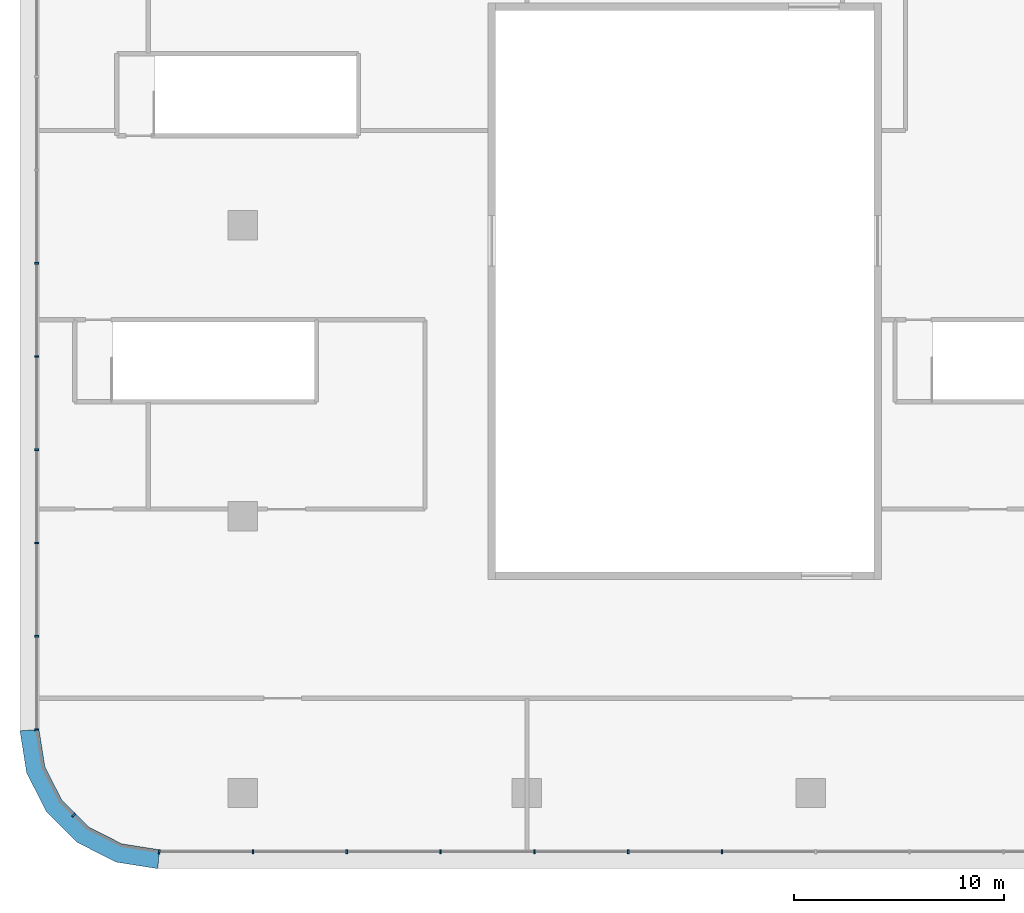
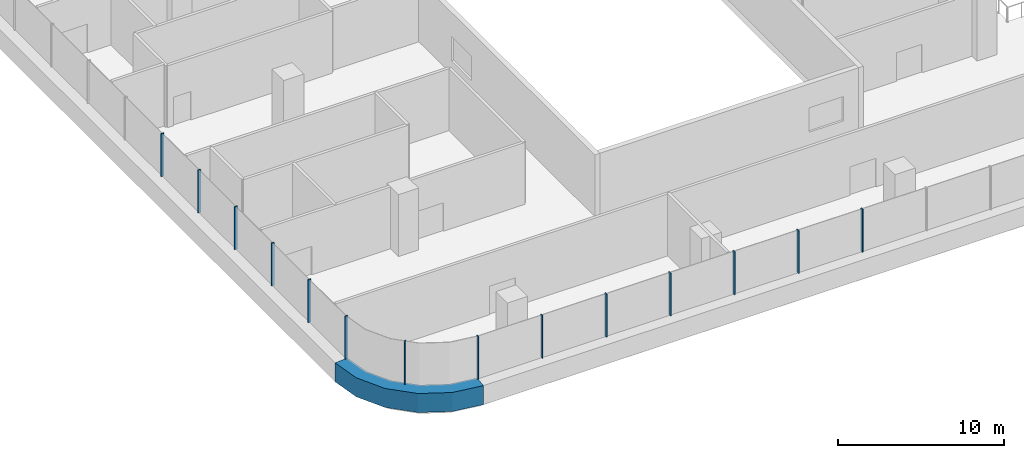
# One storey, part 2 of 38: 15 members, 3 elements without a shape of their own.
"""IFC4 building model written with IfcOpenShell, lengths in metres."""

from ifc_helpers import new_model, si_unit, direction, frame, origin, origin_2d, place, context, subcontext, project, spatial, polyline, rectangle, outline, extrude, material, layer, layer_set, material_profile, profile_set, type_object, element, aggregate, save


model = new_model("IFC4")

# Units and contexts
model_context = context("Model", 3, precision=1e-05, world=origin(), true_north=direction((0.0, 1.0)))
body_context = subcontext(model_context, "Body", "Model", "MODEL_VIEW")
ifc_project = project(units=[si_unit("LENGTHUNIT", "METRE"), si_unit("AREAUNIT", "SQUARE_METRE"), si_unit("VOLUMEUNIT", "CUBIC_METRE"), si_unit("PLANEANGLEUNIT", "RADIAN"), si_unit("MASSUNIT", "GRAM", prefix="KILO")], contexts=[model_context])

# Site, building, storey
site_placement = place(None, origin())
site = spatial("IfcSite", under=ifc_project, at=site_placement, CompositionType="ELEMENT")
building_placement = place(site_placement, origin())
building = spatial("IfcBuilding", under=site, at=building_placement, Name="Tamarind Cross Interchange Tower", CompositionType="ELEMENT")
storey_placement = place(building_placement, frame((0.0, 0.0, 20.0)))
storey = spatial("IfcBuildingStorey", under=building, at=storey_placement, Name="L03", CompositionType="ELEMENT", Elevation=20.0)

# Curtain wall, member
ifc_material_1 = material(Name="Aluminium 6063-T6", Category="aluminium")
ifc_layer = layer(ifc_material_1, 0.199951171875)
ifc_layer_set = layer_set([ifc_layer], Name="Aluminium 6063-T6")
curtain_wall_type = type_object("IfcCurtainWallType", Name="Podium shopfront and station curtain wall", PredefinedType="NOTDEFINED", material=ifc_layer_set)
curtain_wall_1_placement = place(storey_placement, origin())
curtain_wall_1 = element("IfcCurtainWall", 1, at=curtain_wall_1_placement, inside=storey, type_object=curtain_wall_type, Name="CWS-L03-05", PredefinedType="NOTDEFINED")
ifc_material_2 = material(Name="Aluminium and insulated spandrel panel", Category="aluminium")
member_type_1 = type_object("IfcMemberType", Name="Floor-edge blade transom", PredefinedType="USERDEFINED", material=ifc_material_2)
member_1_placement = place(storey_placement, origin())
member_1 = element("IfcMember", 2, at=member_1_placement, type_object=member_type_1, Name="CWT-L03-05", ObjectType="TRANSOM", PredefinedType="USERDEFINED", context=body_context, shape_type="SweptSolid", body=[
    extrude(outline(polyline([(-63.699951171875, -50.976318359375), (-63.41748046875, -52.76025390625), (-62.6083984375, -54.34814453125), (-61.34814453125, -55.6083984375), (-59.76025390625, -56.41748046875), (-57.976318359375, -56.699951171875), (-58.047119140625, -57.60009765625), (-60.041748046875, -57.2841796875), (-61.8837890625, -56.345458984375), (-63.345458984375, -54.8837890625), (-64.2841796875, -53.041748046875), (-64.60009765625, -51.047119140625), (-63.699951171875, -50.976318359375)])), origin(), (0.0, 0.0, 1.0), 1.39990234375),
])

# Curtain wall, members
curtain_wall_2_placement = place(storey_placement, origin())
curtain_wall_2 = element("IfcCurtainWall", 3, at=curtain_wall_2_placement, inside=storey, type_object=curtain_wall_type, Name="CWS-L03-04", PredefinedType="NOTDEFINED")
ifc_material_profile = material_profile(ifc_material_1, rectangle(XDim=0.080078125, YDim=0.199951171875, at=origin_2d()), Name="Mullion CW3")
ifc_profile_set = profile_set([ifc_material_profile], Name="Aluminium 6063-T6")
member_type_2 = type_object("IfcMemberType", Name="Mullion CW3", PredefinedType="MULLION", material=ifc_profile_set)
member_2_placement = place(storey_placement, frame((-63.800048828125, -28.817138671875, 1.39990234375), z_axis=(0.0, 0.0, 1.0), x_axis=(0.0, -1.0, 0.0)))
member_2 = element("IfcMember", 4, at=member_2_placement, type_object=member_type_2, Name="CWM-L03-04-18", PredefinedType="MULLION", context=body_context, shape_type="SweptSolid", body=[
    extrude(rectangle(XDim=0.080078125, YDim=0.199951171875, at=origin_2d()), origin(), (0.0, 0.0, 1.0), 3.150146484375),
])
member_3_placement = place(storey_placement, frame((-63.800048828125, -33.25048828125, 1.39990234375), z_axis=(0.0, 0.0, 1.0), x_axis=(0.0, -1.0, 0.0)))
member_3 = element("IfcMember", 5, at=member_3_placement, type_object=member_type_2, Name="CWM-L03-04-19", PredefinedType="MULLION", context=body_context, shape_type="SweptSolid", body=[
    extrude(rectangle(XDim=0.080078125, YDim=0.199951171875, at=origin_2d()), origin(), (0.0, 0.0, 1.0), 3.150146484375),
])
member_4_placement = place(storey_placement, frame((-63.800048828125, -37.68408203125, 1.39990234375), z_axis=(0.0, 0.0, 1.0), x_axis=(0.0, -1.0, 0.0)))
member_4 = element("IfcMember", 6, at=member_4_placement, type_object=member_type_2, Name="CWM-L03-04-20", PredefinedType="MULLION", context=body_context, shape_type="SweptSolid", body=[
    extrude(rectangle(XDim=0.080078125, YDim=0.199951171875, at=origin_2d()), origin(), (0.0, 0.0, 1.0), 3.150146484375),
])
member_5_placement = place(storey_placement, frame((-63.800048828125, -42.117431640625, 1.39990234375), z_axis=(0.0, 0.0, 1.0), x_axis=(0.0, -1.0, 0.0)))
member_5 = element("IfcMember", 7, at=member_5_placement, type_object=member_type_2, Name="CWM-L03-04-21", PredefinedType="MULLION", context=body_context, shape_type="SweptSolid", body=[
    extrude(rectangle(XDim=0.080078125, YDim=0.199951171875, at=origin_2d()), origin(), (0.0, 0.0, 1.0), 3.150146484375),
])
member_6_placement = place(storey_placement, frame((-63.800048828125, -46.55078125, 1.39990234375), z_axis=(0.0, 0.0, 1.0), x_axis=(0.0, -1.0, 0.0)))
member_6 = element("IfcMember", 8, at=member_6_placement, type_object=member_type_2, Name="CWM-L03-04-22", PredefinedType="MULLION", context=body_context, shape_type="SweptSolid", body=[
    extrude(rectangle(XDim=0.080078125, YDim=0.199951171875, at=origin_2d()), origin(), (0.0, 0.0, 1.0), 3.150146484375),
])
aggregate(curtain_wall_2, [member_2, member_3, member_4, member_5, member_6])

# Member
member_7_placement = place(storey_placement, frame((-63.800048828125, -50.984375, 1.39990234375), z_axis=(0.0, 0.0, 1.0), x_axis=(0.078459095728, -0.996917333733, 0.0)))
member_7 = element("IfcMember", 9, at=member_7_placement, type_object=member_type_2, Name="CWM-L03-05-00", PredefinedType="MULLION", context=body_context, shape_type="SweptSolid", body=[
    extrude(rectangle(XDim=0.080078125, YDim=0.199951171875, at=origin_2d()), origin(), (0.0, 0.0, 1.0), 3.150146484375),
])

member_8_placement = place(storey_placement, frame((-62.049072265625, -55.049072265625, 1.39990234375), z_axis=(0.0, 0.0, 1.0), x_axis=(0.707106781187, -0.707106781187, 0.0)))
member_8 = element("IfcMember", 10, at=member_8_placement, type_object=member_type_2, Name="CWM-L03-05-01", PredefinedType="MULLION", context=body_context, shape_type="SweptSolid", body=[
    extrude(rectangle(XDim=0.080078125, YDim=0.199951171875, at=origin_2d()), origin(), (0.0, 0.0, 1.0), 3.150146484375),
])

aggregate(curtain_wall_1, [member_7, member_8, member_1])

# Curtain wall, members
curtain_wall_3_placement = place(storey_placement, origin())
curtain_wall_3 = element("IfcCurtainWall", 11, at=curtain_wall_3_placement, inside=storey, type_object=curtain_wall_type, Name="CWS-L03-06", PredefinedType="NOTDEFINED")
member_9_placement = place(storey_placement, frame((-57.984375, -56.800048828125, 1.39990234375), z_axis=(0.0, 0.0, 1.0), x_axis=(0.996917333733, -0.078459095728, 0.0)))
member_9 = element("IfcMember", 12, at=member_9_placement, type_object=member_type_2, Name="CWM-L03-06-00", PredefinedType="MULLION", context=body_context, shape_type="SweptSolid", body=[
    extrude(rectangle(XDim=0.080078125, YDim=0.199951171875, at=origin_2d()), origin(), (0.0, 0.0, 1.0), 3.150146484375),
])
member_10_placement = place(storey_placement, frame((-53.52392578125, -56.800048828125, 1.39990234375), z_axis=(0.0, 0.0, 1.0), x_axis=(1.0, 0.0, 0.0)))
member_10 = element("IfcMember", 13, at=member_10_placement, type_object=member_type_2, Name="CWM-L03-06-01", PredefinedType="MULLION", context=body_context, shape_type="SweptSolid", body=[
    extrude(rectangle(XDim=0.080078125, YDim=0.199951171875, at=origin_2d()), origin(), (0.0, 0.0, 1.0), 3.150146484375),
])
member_11_placement = place(storey_placement, frame((-49.063720703125, -56.800048828125, 1.39990234375), z_axis=(0.0, 0.0, 1.0), x_axis=(1.0, 0.0, 0.0)))
member_11 = element("IfcMember", 14, at=member_11_placement, type_object=member_type_2, Name="CWM-L03-06-02", PredefinedType="MULLION", context=body_context, shape_type="SweptSolid", body=[
    extrude(rectangle(XDim=0.080078125, YDim=0.199951171875, at=origin_2d()), origin(), (0.0, 0.0, 1.0), 3.150146484375),
])
member_12_placement = place(storey_placement, frame((-44.603271484375, -56.800048828125, 1.39990234375), z_axis=(0.0, 0.0, 1.0), x_axis=(1.0, 0.0, 0.0)))
member_12 = element("IfcMember", 15, at=member_12_placement, type_object=member_type_2, Name="CWM-L03-06-03", PredefinedType="MULLION", context=body_context, shape_type="SweptSolid", body=[
    extrude(rectangle(XDim=0.080078125, YDim=0.199951171875, at=origin_2d()), origin(), (0.0, 0.0, 1.0), 3.150146484375),
])
member_13_placement = place(storey_placement, frame((-40.14306640625, -56.800048828125, 1.39990234375), z_axis=(0.0, 0.0, 1.0), x_axis=(1.0, 0.0, 0.0)))
member_13 = element("IfcMember", 16, at=member_13_placement, type_object=member_type_2, Name="CWM-L03-06-04", PredefinedType="MULLION", context=body_context, shape_type="SweptSolid", body=[
    extrude(rectangle(XDim=0.080078125, YDim=0.199951171875, at=origin_2d()), origin(), (0.0, 0.0, 1.0), 3.150146484375),
])
member_14_placement = place(storey_placement, frame((-35.6826171875, -56.800048828125, 1.39990234375), z_axis=(0.0, 0.0, 1.0), x_axis=(1.0, 0.0, 0.0)))
member_14 = element("IfcMember", 17, at=member_14_placement, type_object=member_type_2, Name="CWM-L03-06-05", PredefinedType="MULLION", context=body_context, shape_type="SweptSolid", body=[
    extrude(rectangle(XDim=0.080078125, YDim=0.199951171875, at=origin_2d()), origin(), (0.0, 0.0, 1.0), 3.150146484375),
])
member_15_placement = place(storey_placement, frame((-31.222412109375, -56.800048828125, 1.39990234375), z_axis=(0.0, 0.0, 1.0), x_axis=(1.0, 0.0, 0.0)))
member_15 = element("IfcMember", 18, at=member_15_placement, type_object=member_type_2, Name="CWM-L03-06-06", PredefinedType="MULLION", context=body_context, shape_type="SweptSolid", body=[
    extrude(rectangle(XDim=0.080078125, YDim=0.199951171875, at=origin_2d()), origin(), (0.0, 0.0, 1.0), 3.150146484375),
])
aggregate(curtain_wall_3, [member_9, member_10, member_11, member_12, member_13, member_14, member_15])

save(model, "model.ifc")
